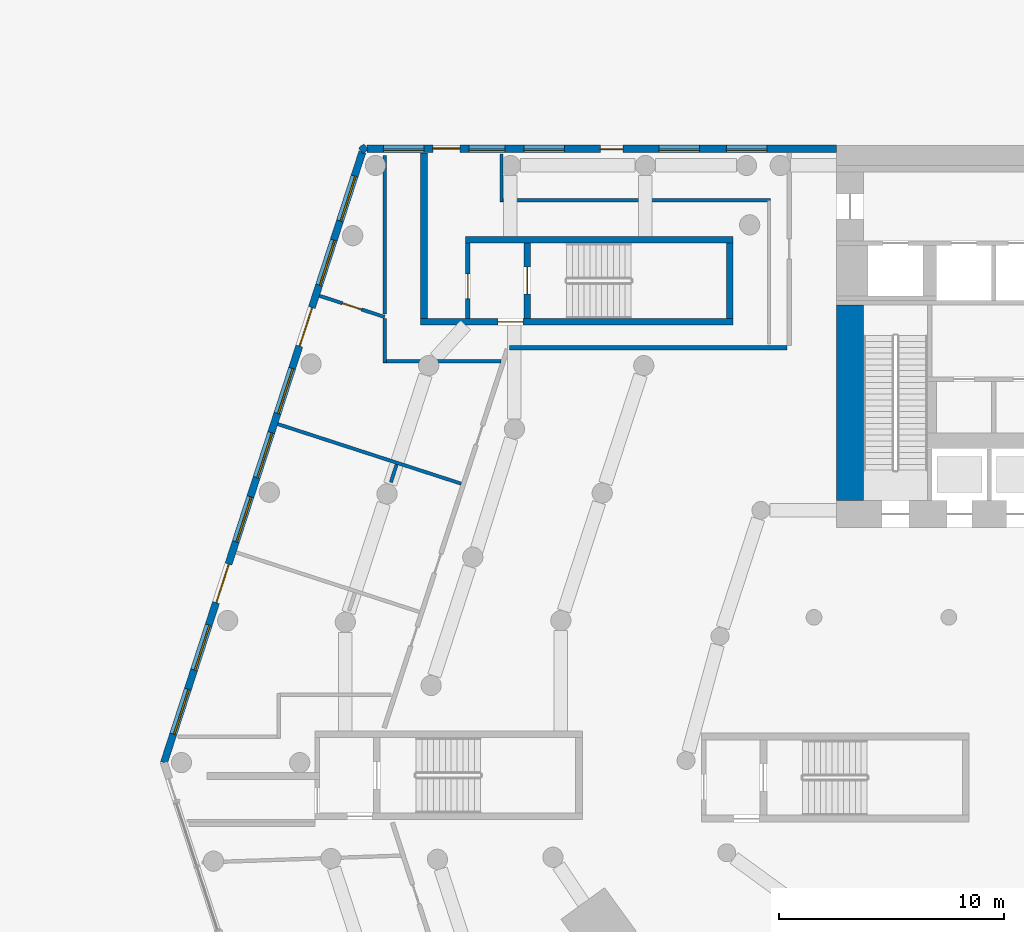
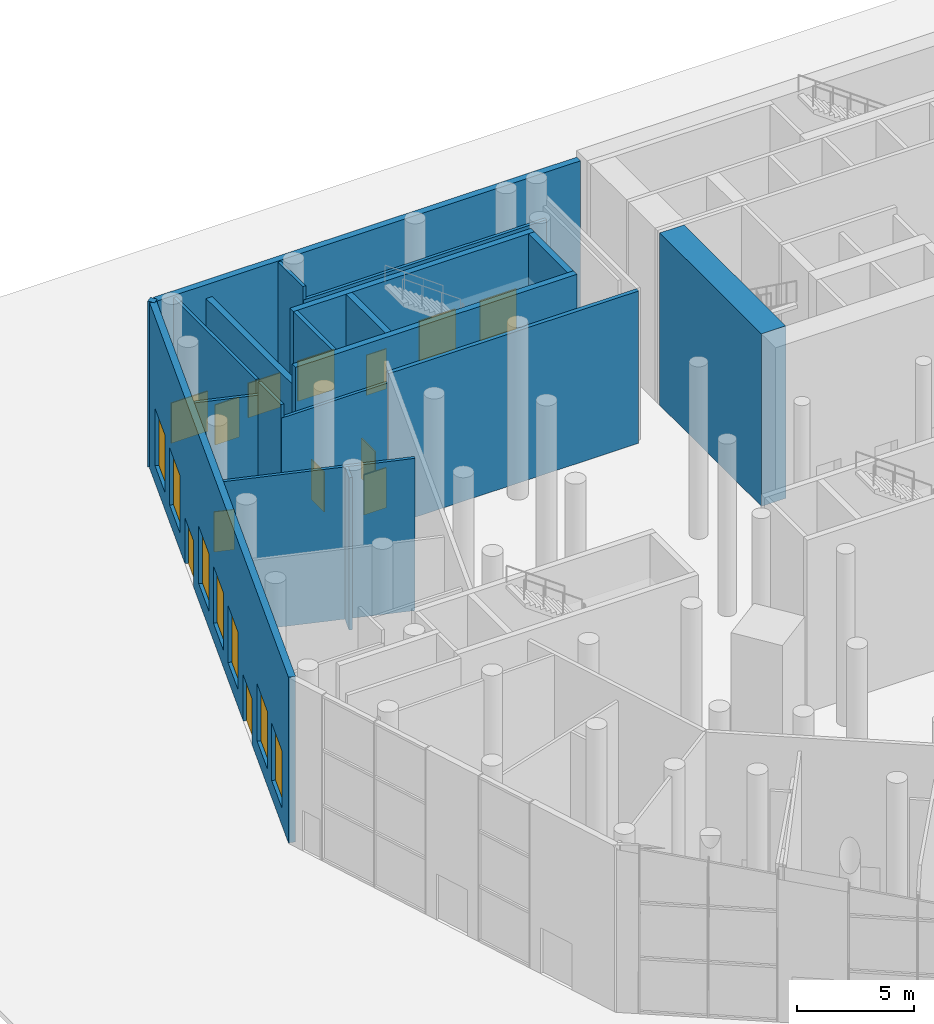
# One storey, part 14 of 25: 19 walls, 12 windows, 8 doors, 20 openings.
"""IFC4 building model written with IfcOpenShell, lengths in metres."""

from ifc_helpers import new_model, si_unit, direction, frame, frame_2d, origin, place, context, subcontext, project, spatial, rectangle, extrude, material, layer, layer_set, type_object, element, fill, save


model = new_model("IFC4")

# Units and contexts
model_context = context("Model", 3, precision=1e-05, world=origin(), true_north=direction((0.0, 1.0)))
body_context = subcontext(model_context, "Body", "Model", "MODEL_VIEW")
ifc_project = project(units=[si_unit("LENGTHUNIT", "METRE"), si_unit("AREAUNIT", "SQUARE_METRE"), si_unit("VOLUMEUNIT", "CUBIC_METRE"), si_unit("PLANEANGLEUNIT", "RADIAN"), si_unit("MASSUNIT", "GRAM", prefix="KILO")], contexts=[model_context])

# Site, building, storey
site_placement = place(None, origin())
site = spatial("IfcSite", under=ifc_project, at=site_placement, CompositionType="ELEMENT")
building_placement = place(site_placement, origin())
building = spatial("IfcBuilding", under=site, at=building_placement, Name="White Candle Pilgrim Tower", CompositionType="ELEMENT")
storey_placement = place(building_placement, origin())
storey = spatial("IfcBuildingStorey", under=building, at=storey_placement, Name="L00", CompositionType="ELEMENT", Elevation=0.0)

# Walls
ifc_material_1 = material(Name="Gypsum board on steel studs", Category="steel")
ifc_layer_1 = layer(ifc_material_1, 0.199951171875)
ifc_layer_set_1 = layer_set([ifc_layer_1], Name="Corridor wall 200 mm EI 45")
wall_type_1 = type_object("IfcWallType", Name="Corridor wall 200 mm EI 45", PredefinedType="PARTITIONING", material=ifc_layer_set_1)
wall_1_placement = place(storey_placement, frame((44.4541015625, 79.0, 0.0), z_axis=(0.0, 0.0, 1.0), x_axis=(1.0, 0.0, 0.0)))
element("IfcWall", 1, at=wall_1_placement, inside=storey, type_object=wall_type_1, Name="WL-L00-P006", PredefinedType="PARTITIONING", context=body_context, shape_type="SweptSolid", body=[
    extrude(rectangle(XDim=12.345947265625, YDim=0.199951171875, at=frame_2d((6.1728515625, 0.0))), origin(), (0.0, 0.0, 1.0), 7.949951171875),
])
ifc_material_2 = material(Name="Precast concrete C40/50", Category="concrete")
ifc_layer_2 = layer(ifc_material_2, 0.320068359375)
ifc_layer_set_2 = layer_set([ifc_layer_2], Name="Facade wall EW3 precast concrete C40/50 and stone-faced podium wall")
wall_type_2 = type_object("IfcWallType", Name="Facade wall EW3 precast concrete C40/50 and stone-faced podium wall", PredefinedType="SOLIDWALL", material=ifc_layer_set_2)
wall_2_placement = place(storey_placement, frame((38.080078125, 87.92822265625, 0.0), z_axis=(0.0, 0.0, 1.0), x_axis=(-0.809087927272, -0.587687609145, 0.0)))
element("IfcWall", 2, at=wall_2_placement, inside=storey, type_object=wall_type_2, Name="Corner pier L00 N", PredefinedType="SOLIDWALL", context=body_context, shape_type="SweptSolid", body=[
    extrude(rectangle(XDim=0.300048828125, YDim=0.320068359375, at=frame_2d((0.14990234375, 0.0))), origin(), (0.0, 0.0, 1.0), 8.64990234375),
])

# Wall, openings, doors, windows
wall_3_placement = place(storey_placement, frame((37.912353515625, 87.697265625, 0.0), z_axis=(0.0, 0.0, 1.0), x_axis=(-0.309016476183, -0.951056684666, 0.0)))
wall_3 = element("IfcWall", 3, at=wall_3_placement, inside=storey, type_object=wall_type_2, Name="Facade wall L00 WNW", PredefinedType="SOLIDWALL", context=body_context, shape_type="SweptSolid", body=[
    extrude(rectangle(XDim=28.555908203125, YDim=0.320068359375, at=frame_2d((14.27783203125, 0.0))), origin(), (0.0, 0.0, 1.0), 8.64990234375),
])
opening_1_placement = place(wall_3_placement, frame((1.120849609375, 0.0, 0.89990234375)))
opening_1 = element("IfcOpeningElement", 4, at=opening_1_placement, cuts=wall_3, Name="Opening W7", PredefinedType="OPENING", context=body_context, shape_type="SweptSolid", body=[
    extrude(rectangle(XDim=2.10009765625, YDim=3.0, at=frame_2d((1.050048828125, 1.5))), frame((0.0, 0.169921875, 0.0), z_axis=(0.0, -1.0, 0.0), x_axis=(1.0, 0.0, 0.0)), (0.0, 0.0, 1.0), 0.340087890625),
])
opening_2_placement = place(wall_3_placement, frame((4.120849609375, 0.0, 0.89990234375)))
opening_2 = element("IfcOpeningElement", 5, at=opening_2_placement, cuts=wall_3, Name="Opening W7", PredefinedType="OPENING", context=body_context, shape_type="SweptSolid", body=[
    extrude(rectangle(XDim=2.10009765625, YDim=3.0, at=frame_2d((1.050048828125, 1.5))), frame((0.0, 0.169921875, 0.0), z_axis=(0.0, -1.0, 0.0), x_axis=(1.0, 0.0, 0.0)), (0.0, 0.0, 1.0), 0.340087890625),
])
opening_3_placement = place(wall_3_placement, frame((7.270751953125, 0.0, 0.0)))
opening_3 = element("IfcOpeningElement", 6, at=opening_3_placement, cuts=wall_3, Name="Opening L00-918", PredefinedType="OPENING", context=body_context, shape_type="SweptSolid", body=[
    extrude(rectangle(XDim=1.800048828125, YDim=2.39990234375, at=frame_2d((0.89990234375, 1.199951171875))), frame((0.0, 0.169921875, 0.0), z_axis=(0.0, -1.0, 0.0), x_axis=(1.0, 0.0, 0.0)), (0.0, 0.0, 1.0), 0.340087890625),
])
opening_4_placement = place(wall_3_placement, frame((10.120849609375, 0.0, 0.89990234375)))
opening_4 = element("IfcOpeningElement", 7, at=opening_4_placement, cuts=wall_3, Name="Opening W7", PredefinedType="OPENING", context=body_context, shape_type="SweptSolid", body=[
    extrude(rectangle(XDim=2.10009765625, YDim=3.0, at=frame_2d((1.050048828125, 1.5))), frame((0.0, 0.169921875, 0.0), z_axis=(0.0, -1.0, 0.0), x_axis=(1.0, 0.0, 0.0)), (0.0, 0.0, 1.0), 0.340087890625),
])
opening_5_placement = place(wall_3_placement, frame((13.120849609375, 0.0, 0.89990234375)))
opening_5 = element("IfcOpeningElement", 8, at=opening_5_placement, cuts=wall_3, Name="Opening W7", PredefinedType="OPENING", context=body_context, shape_type="SweptSolid", body=[
    extrude(rectangle(XDim=2.10009765625, YDim=3.0, at=frame_2d((1.050048828125, 1.5))), frame((0.0, 0.169921875, 0.0), z_axis=(0.0, -1.0, 0.0), x_axis=(1.0, 0.0, 0.0)), (0.0, 0.0, 1.0), 0.340087890625),
])
opening_6_placement = place(wall_3_placement, frame((16.120849609375, 0.0, 0.89990234375)))
opening_6 = element("IfcOpeningElement", 9, at=opening_6_placement, cuts=wall_3, Name="Opening W7", PredefinedType="OPENING", context=body_context, shape_type="SweptSolid", body=[
    extrude(rectangle(XDim=2.10009765625, YDim=3.0, at=frame_2d((1.050048828125, 1.5))), frame((0.0, 0.169921875, 0.0), z_axis=(0.0, -1.0, 0.0), x_axis=(1.0, 0.0, 0.0)), (0.0, 0.0, 1.0), 0.340087890625),
])
opening_7_placement = place(wall_3_placement, frame((19.270751953125, 0.0, 0.0)))
opening_7 = element("IfcOpeningElement", 10, at=opening_7_placement, cuts=wall_3, Name="Opening L00-919", PredefinedType="OPENING", context=body_context, shape_type="SweptSolid", body=[
    extrude(rectangle(XDim=1.800048828125, YDim=2.39990234375, at=frame_2d((0.89990234375, 1.199951171875))), frame((0.0, 0.169921875, 0.0), z_axis=(0.0, -1.0, 0.0), x_axis=(1.0, 0.0, 0.0)), (0.0, 0.0, 1.0), 0.340087890625),
])
opening_8_placement = place(wall_3_placement, frame((22.120849609375, 0.0, 0.89990234375)))
opening_8 = element("IfcOpeningElement", 11, at=opening_8_placement, cuts=wall_3, Name="Opening W7", PredefinedType="OPENING", context=body_context, shape_type="SweptSolid", body=[
    extrude(rectangle(XDim=2.10009765625, YDim=3.0, at=frame_2d((1.050048828125, 1.5))), frame((0.0, 0.169921875, 0.0), z_axis=(0.0, -1.0, 0.0), x_axis=(1.0, 0.0, 0.0)), (0.0, 0.0, 1.0), 0.340087890625),
])
opening_9_placement = place(wall_3_placement, frame((25.120849609375, 0.0, 0.89990234375)))
opening_9 = element("IfcOpeningElement", 12, at=opening_9_placement, cuts=wall_3, Name="Opening W7", PredefinedType="OPENING", context=body_context, shape_type="SweptSolid", body=[
    extrude(rectangle(XDim=2.10009765625, YDim=3.0, at=frame_2d((1.050048828125, 1.5))), frame((0.0, 0.169921875, 0.0), z_axis=(0.0, -1.0, 0.0), x_axis=(1.0, 0.0, 0.0)), (0.0, 0.0, 1.0), 0.340087890625),
])
ifc_material_3 = material(Name="Timber frame with laminated glazing", Category="wood")
door_type_1 = type_object("IfcDoorType", Name="Exit door EN5 1800x2400 double leaf", OperationType="DOUBLE_DOOR_DOUBLE_SWING", PredefinedType="DOOR", material=ifc_material_3)
door_1_placement = place(opening_3_placement, origin())
door_1 = element("IfcDoor", 13, at=door_1_placement, inside=storey, type_object=door_type_1, Name="Door L00 WNW 3", OperationType="DOUBLE_DOOR_DOUBLE_SWING", OverallHeight=2.39990234375, OverallWidth=1.800048828125, PredefinedType="DOOR", context=body_context, shape_type="SweptSolid", body=[
    extrude(rectangle(XDim=1.800048828125, YDim=2.39990234375, at=frame_2d((0.89990234375, 1.199951171875))), frame((0.0, 0.0400390625, 0.0), z_axis=(0.0, -1.0, 0.0), x_axis=(1.0, 0.0, 0.0)), (0.0, 0.0, 1.0), 0.050048828125),
])
fill(opening_3, door_1)
door_2_placement = place(opening_7_placement, origin())
door_2 = element("IfcDoor", 14, at=door_2_placement, inside=storey, type_object=door_type_1, Name="Door L00 WNW 7", OperationType="DOUBLE_DOOR_DOUBLE_SWING", OverallHeight=2.39990234375, OverallWidth=1.800048828125, PredefinedType="DOOR", context=body_context, shape_type="SweptSolid", body=[
    extrude(rectangle(XDim=1.800048828125, YDim=2.39990234375, at=frame_2d((0.89990234375, 1.199951171875))), frame((0.0, 0.0400390625, 0.0), z_axis=(0.0, -1.0, 0.0), x_axis=(1.0, 0.0, 0.0)), (0.0, 0.0, 1.0), 0.050048828125),
])
fill(opening_7, door_2)
ifc_material_4 = material(Name="Timber frame with triple glazing", Category="wood")
window_type_1 = type_object("IfcWindowType", Name="Window W7 2100x3000 timber frame triple glazing", PartitioningType="SINGLE_PANEL", PredefinedType="WINDOW", material=ifc_material_4)
window_1_placement = place(opening_1_placement, origin())
window_1 = element("IfcWindow", 15, at=window_1_placement, inside=storey, type_object=window_type_1, Name="Window W7 L00 WNW 1", OverallHeight=3.0, OverallWidth=2.10009765625, PartitioningType="SINGLE_PANEL", PredefinedType="WINDOW", context=body_context, shape_type="SweptSolid", body=[
    extrude(rectangle(XDim=2.10009765625, YDim=3.0, at=frame_2d((1.050048828125, 1.5))), frame((0.0, 0.070068359375, 0.0), z_axis=(0.0, -1.0, 0.0), x_axis=(1.0, 0.0, 0.0)), (0.0, 0.0, 1.0), 0.06005859375),
])
fill(opening_1, window_1)
window_2_placement = place(opening_2_placement, origin())
window_2 = element("IfcWindow", 16, at=window_2_placement, inside=storey, type_object=window_type_1, Name="Window W7 L00 WNW 2", OverallHeight=3.0, OverallWidth=2.10009765625, PartitioningType="SINGLE_PANEL", PredefinedType="WINDOW", context=body_context, shape_type="SweptSolid", body=[
    extrude(rectangle(XDim=2.10009765625, YDim=3.0, at=frame_2d((1.050048828125, 1.5))), frame((0.0, 0.070068359375, 0.0), z_axis=(0.0, -1.0, 0.0), x_axis=(1.0, 0.0, 0.0)), (0.0, 0.0, 1.0), 0.06005859375),
])
fill(opening_2, window_2)
window_3_placement = place(opening_4_placement, origin())
window_3 = element("IfcWindow", 17, at=window_3_placement, inside=storey, type_object=window_type_1, Name="Window W7 L00 WNW 4", OverallHeight=3.0, OverallWidth=2.10009765625, PartitioningType="SINGLE_PANEL", PredefinedType="WINDOW", context=body_context, shape_type="SweptSolid", body=[
    extrude(rectangle(XDim=2.10009765625, YDim=3.0, at=frame_2d((1.050048828125, 1.5))), frame((0.0, 0.070068359375, 0.0), z_axis=(0.0, -1.0, 0.0), x_axis=(1.0, 0.0, 0.0)), (0.0, 0.0, 1.0), 0.06005859375),
])
fill(opening_4, window_3)
window_4_placement = place(opening_5_placement, origin())
window_4 = element("IfcWindow", 18, at=window_4_placement, inside=storey, type_object=window_type_1, Name="Window W7 L00 WNW 5", OverallHeight=3.0, OverallWidth=2.10009765625, PartitioningType="SINGLE_PANEL", PredefinedType="WINDOW", context=body_context, shape_type="SweptSolid", body=[
    extrude(rectangle(XDim=2.10009765625, YDim=3.0, at=frame_2d((1.050048828125, 1.5))), frame((0.0, 0.070068359375, 0.0), z_axis=(0.0, -1.0, 0.0), x_axis=(1.0, 0.0, 0.0)), (0.0, 0.0, 1.0), 0.06005859375),
])
fill(opening_5, window_4)
window_5_placement = place(opening_6_placement, origin())
window_5 = element("IfcWindow", 19, at=window_5_placement, inside=storey, type_object=window_type_1, Name="Window W7 L00 WNW 6", OverallHeight=3.0, OverallWidth=2.10009765625, PartitioningType="SINGLE_PANEL", PredefinedType="WINDOW", context=body_context, shape_type="SweptSolid", body=[
    extrude(rectangle(XDim=2.10009765625, YDim=3.0, at=frame_2d((1.050048828125, 1.5))), frame((0.0, 0.070068359375, 0.0), z_axis=(0.0, -1.0, 0.0), x_axis=(1.0, 0.0, 0.0)), (0.0, 0.0, 1.0), 0.06005859375),
])
fill(opening_6, window_5)
window_6_placement = place(opening_8_placement, origin())
window_6 = element("IfcWindow", 20, at=window_6_placement, inside=storey, type_object=window_type_1, Name="Window W7 L00 WNW 8", OverallHeight=3.0, OverallWidth=2.10009765625, PartitioningType="SINGLE_PANEL", PredefinedType="WINDOW", context=body_context, shape_type="SweptSolid", body=[
    extrude(rectangle(XDim=2.10009765625, YDim=3.0, at=frame_2d((1.050048828125, 1.5))), frame((0.0, 0.070068359375, 0.0), z_axis=(0.0, -1.0, 0.0), x_axis=(1.0, 0.0, 0.0)), (0.0, 0.0, 1.0), 0.06005859375),
])
fill(opening_8, window_6)
window_7_placement = place(opening_9_placement, origin())
window_7 = element("IfcWindow", 21, at=window_7_placement, inside=storey, type_object=window_type_1, Name="Window W7 L00 WNW 9", OverallHeight=3.0, OverallWidth=2.10009765625, PartitioningType="SINGLE_PANEL", PredefinedType="WINDOW", context=body_context, shape_type="SweptSolid", body=[
    extrude(rectangle(XDim=2.10009765625, YDim=3.0, at=frame_2d((1.050048828125, 1.5))), frame((0.0, 0.070068359375, 0.0), z_axis=(0.0, -1.0, 0.0), x_axis=(1.0, 0.0, 0.0)), (0.0, 0.0, 1.0), 0.06005859375),
])
fill(opening_9, window_7)

ifc_layer_3 = layer(ifc_material_2, 0.320068359375)
ifc_layer_set_3 = layer_set([ifc_layer_3], Name="Facade wall EW8 precast concrete C40/50 fire command room wall")
wall_type_3 = type_object("IfcWallType", Name="Facade wall EW8 precast concrete C40/50 fire command room wall", PredefinedType="SOLIDWALL", material=ifc_layer_set_3)
wall_4_placement = place(storey_placement, frame((59.0, 87.840087890625, 0.0), z_axis=(0.0, 0.0, 1.0), x_axis=(-1.0, 0.0, 0.0)))
wall_4 = element("IfcWall", 22, at=wall_4_placement, inside=storey, type_object=wall_type_3, Name="Facade wall L00 N", PredefinedType="SOLIDWALL", context=body_context, shape_type="SweptSolid", body=[
    extrude(rectangle(XDim=20.891357421875, YDim=0.320068359375, at=frame_2d((10.44580078125, 0.0))), origin(), (0.0, 0.0, 1.0), 8.64990234375),
])
opening_10_placement = place(wall_4_placement, frame((3.10009765625, 0.0, 0.89990234375)))
opening_10 = element("IfcOpeningElement", 23, at=opening_10_placement, cuts=wall_4, Name="Opening W8", PredefinedType="OPENING", context=body_context, shape_type="SweptSolid", body=[
    extrude(rectangle(XDim=1.800048828125, YDim=2.10009765625, at=frame_2d((0.89990234375, 1.050048828125))), frame((0.0, 0.169921875, 0.0), z_axis=(0.0, -1.0, 0.0), x_axis=(1.0, 0.0, 0.0)), (0.0, 0.0, 1.0), 0.340087890625),
])
opening_11_placement = place(wall_4_placement, frame((6.10009765625, 0.0, 0.89990234375)))
opening_11 = element("IfcOpeningElement", 24, at=opening_11_placement, cuts=wall_4, Name="Opening W8", PredefinedType="OPENING", context=body_context, shape_type="SweptSolid", body=[
    extrude(rectangle(XDim=1.800048828125, YDim=2.10009765625, at=frame_2d((0.89990234375, 1.050048828125))), frame((0.0, 0.169921875, 0.0), z_axis=(0.0, -1.0, 0.0), x_axis=(1.0, 0.0, 0.0)), (0.0, 0.0, 1.0), 0.340087890625),
])
opening_12_placement = place(wall_4_placement, frame((9.5, 0.0, 0.0)))
opening_12 = element("IfcOpeningElement", 25, at=opening_12_placement, cuts=wall_4, Name="Opening L00-917", PredefinedType="OPENING", context=body_context, shape_type="SweptSolid", body=[
    extrude(rectangle(XDim=1.0, YDim=2.10009765625, at=frame_2d((0.5, 1.050048828125))), frame((0.0, 0.169921875, 0.0), z_axis=(0.0, -1.0, 0.0), x_axis=(1.0, 0.0, 0.0)), (0.0, 0.0, 1.0), 0.340087890625),
])
opening_13_placement = place(wall_4_placement, frame((12.10009765625, 0.0, 0.89990234375)))
opening_13 = element("IfcOpeningElement", 26, at=opening_13_placement, cuts=wall_4, Name="Opening W8", PredefinedType="OPENING", context=body_context, shape_type="SweptSolid", body=[
    extrude(rectangle(XDim=1.800048828125, YDim=2.10009765625, at=frame_2d((0.89990234375, 1.050048828125))), frame((0.0, 0.169921875, 0.0), z_axis=(0.0, -1.0, 0.0), x_axis=(1.0, 0.0, 0.0)), (0.0, 0.0, 1.0), 0.340087890625),
])
opening_14_placement = place(wall_4_placement, frame((14.75, 0.0, 0.89990234375)))
opening_14 = element("IfcOpeningElement", 27, at=opening_14_placement, cuts=wall_4, Name="Opening W2", PredefinedType="OPENING", context=body_context, shape_type="SweptSolid", body=[
    extrude(rectangle(XDim=1.60009765625, YDim=1.800048828125, at=frame_2d((0.800048828125, 0.89990234375))), frame((0.0, 0.169921875, 0.0), z_axis=(0.0, -1.0, 0.0), x_axis=(1.0, 0.0, 0.0)), (0.0, 0.0, 1.0), 0.340087890625),
])
opening_15_placement = place(wall_4_placement, frame((18.35009765625, 0.0, 0.89990234375)))
opening_15 = element("IfcOpeningElement", 28, at=opening_15_placement, cuts=wall_4, Name="Opening W8", PredefinedType="OPENING", context=body_context, shape_type="SweptSolid", body=[
    extrude(rectangle(XDim=1.800048828125, YDim=2.10009765625, at=frame_2d((0.89990234375, 1.050048828125))), frame((0.0, 0.169921875, 0.0), z_axis=(0.0, -1.0, 0.0), x_axis=(1.0, 0.0, 0.0)), (0.0, 0.0, 1.0), 0.340087890625),
])
opening_16_placement = place(wall_4_placement, frame((16.75, 0.0, 0.0)))
opening_16 = element("IfcOpeningElement", 29, at=opening_16_placement, cuts=wall_4, Name="Opening L00-926", PredefinedType="OPENING", context=body_context, shape_type="SweptSolid", body=[
    extrude(rectangle(XDim=1.199951171875, YDim=2.10009765625, at=frame_2d((0.60009765625, 1.050048828125))), frame((0.0, 0.169921875, 0.0), z_axis=(0.0, -1.0, 0.0), x_axis=(1.0, 0.0, 0.0)), (0.0, 0.0, 1.0), 0.340087890625),
])
door_type_2 = type_object("IfcDoorType", Name="Exit door EN7 1200x2100 single leaf", OperationType="SINGLE_SWING_RIGHT", PredefinedType="DOOR", material=ifc_material_3)
door_3_placement = place(opening_16_placement, frame((1.199951171875, 0.0, 0.0), z_axis=(0.0, 0.0, 1.0), x_axis=(-1.0, 0.0, 0.0)))
door_3 = element("IfcDoor", 30, at=door_3_placement, inside=storey, type_object=door_type_2, Name="Door L00 exit ST10", OperationType="SINGLE_SWING_RIGHT", OverallHeight=2.10009765625, OverallWidth=1.199951171875, PredefinedType="DOOR", context=body_context, shape_type="SweptSolid", body=[
    extrude(rectangle(XDim=1.199951171875, YDim=2.10009765625, at=frame_2d((0.60009765625, 1.050048828125))), frame((0.0, 0.0400390625, 0.0), z_axis=(0.0, -1.0, 0.0), x_axis=(1.0, 0.0, 0.0)), (0.0, 0.0, 1.0), 0.050048828125),
])
fill(opening_16, door_3)
door_type_3 = type_object("IfcDoorType", Name="Fire post door EN6 1000x2100 single leaf", OperationType="SINGLE_SWING_RIGHT", PredefinedType="DOOR", material=ifc_material_3)
door_4_placement = place(opening_12_placement, origin())
door_4 = element("IfcDoor", 31, at=door_4_placement, inside=storey, type_object=door_type_3, Name="Door L00 N 18", OperationType="SINGLE_SWING_RIGHT", OverallHeight=2.10009765625, OverallWidth=1.0, PredefinedType="DOOR", context=body_context, shape_type="SweptSolid", body=[
    extrude(rectangle(XDim=1.0, YDim=2.10009765625, at=frame_2d((0.5, 1.050048828125))), frame((0.0, 0.0400390625, 0.0), z_axis=(0.0, -1.0, 0.0), x_axis=(1.0, 0.0, 0.0)), (0.0, 0.0, 1.0), 0.050048828125),
])
fill(opening_12, door_4)
window_type_2 = type_object("IfcWindowType", Name="Window W2 1600x1800 timber frame triple glazing", PartitioningType="SINGLE_PANEL", PredefinedType="WINDOW", material=ifc_material_4)
window_8_placement = place(opening_14_placement, origin())
window_8 = element("IfcWindow", 32, at=window_8_placement, inside=storey, type_object=window_type_2, Name="Window W2 L00 N 20", OverallHeight=1.800048828125, OverallWidth=1.60009765625, PartitioningType="SINGLE_PANEL", PredefinedType="WINDOW", context=body_context, shape_type="SweptSolid", body=[
    extrude(rectangle(XDim=1.60009765625, YDim=1.800048828125, at=frame_2d((0.800048828125, 0.89990234375))), frame((0.0, 0.070068359375, 0.0), z_axis=(0.0, -1.0, 0.0), x_axis=(1.0, 0.0, 0.0)), (0.0, 0.0, 1.0), 0.06005859375),
])
fill(opening_14, window_8)
window_type_3 = type_object("IfcWindowType", Name="Window W8 1800x2100 timber frame triple glazing", PartitioningType="SINGLE_PANEL", PredefinedType="WINDOW", material=ifc_material_4)
window_9_placement = place(opening_10_placement, origin())
window_9 = element("IfcWindow", 33, at=window_9_placement, inside=storey, type_object=window_type_3, Name="Window W8 L00 N 16", OverallHeight=2.10009765625, OverallWidth=1.800048828125, PartitioningType="SINGLE_PANEL", PredefinedType="WINDOW", context=body_context, shape_type="SweptSolid", body=[
    extrude(rectangle(XDim=1.800048828125, YDim=2.10009765625, at=frame_2d((0.89990234375, 1.050048828125))), frame((0.0, 0.070068359375, 0.0), z_axis=(0.0, -1.0, 0.0), x_axis=(1.0, 0.0, 0.0)), (0.0, 0.0, 1.0), 0.06005859375),
])
fill(opening_10, window_9)
window_10_placement = place(opening_11_placement, origin())
window_10 = element("IfcWindow", 34, at=window_10_placement, inside=storey, type_object=window_type_3, Name="Window W8 L00 N 17", OverallHeight=2.10009765625, OverallWidth=1.800048828125, PartitioningType="SINGLE_PANEL", PredefinedType="WINDOW", context=body_context, shape_type="SweptSolid", body=[
    extrude(rectangle(XDim=1.800048828125, YDim=2.10009765625, at=frame_2d((0.89990234375, 1.050048828125))), frame((0.0, 0.070068359375, 0.0), z_axis=(0.0, -1.0, 0.0), x_axis=(1.0, 0.0, 0.0)), (0.0, 0.0, 1.0), 0.06005859375),
])
fill(opening_11, window_10)
window_11_placement = place(opening_13_placement, origin())
window_11 = element("IfcWindow", 35, at=window_11_placement, inside=storey, type_object=window_type_3, Name="Window W8 L00 N 19", OverallHeight=2.10009765625, OverallWidth=1.800048828125, PartitioningType="SINGLE_PANEL", PredefinedType="WINDOW", context=body_context, shape_type="SweptSolid", body=[
    extrude(rectangle(XDim=1.800048828125, YDim=2.10009765625, at=frame_2d((0.89990234375, 1.050048828125))), frame((0.0, 0.070068359375, 0.0), z_axis=(0.0, -1.0, 0.0), x_axis=(1.0, 0.0, 0.0)), (0.0, 0.0, 1.0), 0.06005859375),
])
fill(opening_13, window_11)
window_12_placement = place(opening_15_placement, origin())
window_12 = element("IfcWindow", 36, at=window_12_placement, inside=storey, type_object=window_type_3, Name="Window W8 L00 N 21", OverallHeight=2.10009765625, OverallWidth=1.800048828125, PartitioningType="SINGLE_PANEL", PredefinedType="WINDOW", context=body_context, shape_type="SweptSolid", body=[
    extrude(rectangle(XDim=1.800048828125, YDim=2.10009765625, at=frame_2d((0.89990234375, 1.050048828125))), frame((0.0, 0.070068359375, 0.0), z_axis=(0.0, -1.0, 0.0), x_axis=(1.0, 0.0, 0.0)), (0.0, 0.0, 1.0), 0.06005859375),
])
fill(opening_15, window_12)

# Wall
ifc_layer_4 = layer(ifc_material_1, 0.300048828125)
ifc_layer_set_4 = layer_set([ifc_layer_4], Name="Lobby wall 300 mm REI 240")
wall_type_4 = type_object("IfcWallType", Name="Lobby wall 300 mm REI 240", PredefinedType="PARTITIONING", material=ifc_layer_set_4)
wall_5_placement = place(storey_placement, frame((40.64990234375, 80.300048828125, 0.0), z_axis=(0.0, 0.0, 1.0), x_axis=(0.0, 1.0, 0.0)))
element("IfcWall", 37, at=wall_5_placement, inside=storey, type_object=wall_type_4, Name="WL-L00-C61", PredefinedType="PARTITIONING", context=body_context, shape_type="SweptSolid", body=[
    extrude(rectangle(XDim=7.35986328125, YDim=0.300048828125, at=frame_2d((3.679931640625, 0.0))), origin(), (0.0, 0.0, 1.0), 7.949951171875),
])

# Wall, opening, door
ifc_layer_5 = layer(ifc_material_1, 0.14990234375)
ifc_layer_set_5 = layer_set([ifc_layer_5], Name="Partition 150 mm EI 60")
wall_type_5 = type_object("IfcWallType", Name="Partition 150 mm EI 60", PredefinedType="PARTITIONING", material=ifc_layer_set_5)
wall_6_placement = place(storey_placement, frame((36.003173828125, 81.3037109375, 0.0), z_axis=(0.0, 0.0, 1.0), x_axis=(0.951037013891, -0.309077010161, 0.0)))
wall_6 = element("IfcWall", 38, at=wall_6_placement, inside=storey, type_object=wall_type_5, Name="WL-L00-P016", PredefinedType="PARTITIONING", context=body_context, shape_type="SweptSolid", body=[
    extrude(rectangle(XDim=3.0458984375, YDim=0.14990234375, at=frame_2d((1.52294921875, 0.0))), origin(), (0.0, 0.0, 1.0), 7.949951171875),
])
opening_17_placement = place(wall_6_placement, frame((1.072998046875, 0.0, 0.0)))
opening_17 = element("IfcOpeningElement", 39, at=opening_17_placement, cuts=wall_6, Name="Opening L00-123", PredefinedType="OPENING", context=body_context, shape_type="SweptSolid", body=[
    extrude(rectangle(XDim=0.89990234375, YDim=2.10009765625, at=frame_2d((0.449951171875, 1.050048828125))), frame((0.0, 0.0849609375, 0.0), z_axis=(0.0, -1.0, 0.0), x_axis=(1.0, 0.0, 0.0)), (0.0, 0.0, 1.0), 0.169921875),
])
ifc_material_5 = material(Name="Steel door leaf", Category="steel")
door_type_4 = type_object("IfcDoorType", Name="Fire door 900 x 2100 EI 30", OperationType="NOTDEFINED", PredefinedType="DOOR", material=ifc_material_5)
door_5_placement = place(opening_17_placement, origin())
door_5 = element("IfcDoor", 40, at=door_5_placement, inside=storey, type_object=door_type_4, Name="Door L00-123", OperationType="SINGLE_SWING_LEFT", OverallHeight=2.10009765625, OverallWidth=0.89990234375, PredefinedType="DOOR", context=body_context, shape_type="SweptSolid", body=[
    extrude(rectangle(XDim=0.89990234375, YDim=2.10009765625, at=frame_2d((0.449951171875, 1.050048828125))), frame((0.0, 0.02490234375, 0.0), z_axis=(0.0, -1.0, 0.0), x_axis=(1.0, 0.0, 0.0)), (0.0, 0.0, 1.0), 0.050048828125),
])
fill(opening_17, door_5)

# Walls
wall_7_placement = place(storey_placement, frame((34.149169921875, 75.597412109375, 0.0), z_axis=(0.0, 0.0, 1.0), x_axis=(0.951046405378, -0.309048110846, 0.0)))
element("IfcWall", 41, at=wall_7_placement, inside=storey, type_object=wall_type_5, Name="WL-L00-P017", PredefinedType="PARTITIONING", context=body_context, shape_type="SweptSolid", body=[
    extrude(rectangle(XDim=8.579833984375, YDim=0.14990234375, at=frame_2d((4.2900390625, 0.0))), origin(), (0.0, 0.0, 1.0), 7.949951171875),
])
wall_8_placement = place(storey_placement, frame((39.17919921875, 73.005126953125, 0.0), z_axis=(0.0, 0.0, 1.0), x_axis=(0.309033234433, 0.951051239427, 0.0)))
element("IfcWall", 42, at=wall_8_placement, inside=storey, type_object=wall_type_5, Name="WL-L00-P046", PredefinedType="PARTITIONING", context=body_context, shape_type="SweptSolid", body=[
    extrude(rectangle(XDim=0.8359375, YDim=0.14990234375, at=frame_2d((0.41796875, 0.0))), origin(), (0.0, 0.0, 1.0), 7.949951171875),
])
wall_9_placement = place(storey_placement, frame((38.89990234375, 80.2958984375, 0.0), z_axis=(0.0, 0.0, 1.0), x_axis=(0.0, -1.0, 0.0)))
element("IfcWall", 43, at=wall_9_placement, inside=storey, type_object=wall_type_5, Name="WL-L00-P057", PredefinedType="PARTITIONING", context=body_context, shape_type="SweptSolid", body=[
    extrude(rectangle(XDim=1.955810546875, YDim=0.14990234375, at=frame_2d((0.97802734375, 0.0))), origin(), (0.0, 0.0, 1.0), 8.64990234375),
])
wall_10_placement = place(storey_placement, frame((38.840087890625, 78.39990234375, 0.0), z_axis=(0.0, 0.0, 1.0), x_axis=(1.0, 0.0, 0.0)))
element("IfcWall", 44, at=wall_10_placement, inside=storey, type_object=wall_type_5, Name="WL-L00-P058", PredefinedType="PARTITIONING", context=body_context, shape_type="SweptSolid", body=[
    extrude(rectangle(XDim=5.238037109375, YDim=0.14990234375, at=frame_2d((2.619140625, 0.0))), origin(), (0.0, 0.0, 1.0), 7.949951171875),
])
wall_11_placement = place(storey_placement, frame((38.89990234375, 87.550048828125, 0.0), z_axis=(0.0, 0.0, 1.0), x_axis=(0.0, -1.0, 0.0)))
element("IfcWall", 45, at=wall_11_placement, inside=storey, type_object=wall_type_5, Name="WL-L00-P059", PredefinedType="PARTITIONING", context=body_context, shape_type="SweptSolid", body=[
    extrude(rectangle(XDim=7.045654296875, YDim=0.14990234375, at=frame_2d((3.52294921875, 0.0))), origin(), (0.0, 0.0, 1.0), 8.64990234375),
])
wall_12_placement = place(storey_placement, frame((56.06005859375, 85.550048828125, 0.0), z_axis=(0.0, 0.0, 1.0), x_axis=(-1.0, 0.0, 0.0)))
element("IfcWall", 46, at=wall_12_placement, inside=storey, type_object=wall_type_5, Name="WL-L00-P060", PredefinedType="PARTITIONING", context=body_context, shape_type="SweptSolid", body=[
    extrude(rectangle(XDim=12.02001953125, YDim=0.14990234375, at=frame_2d((6.010009765625, 0.0))), origin(), (0.0, 0.0, 1.0), 7.949951171875),
])
wall_13_placement = place(storey_placement, frame((44.10009765625, 85.489990234375, 0.0), z_axis=(0.0, 0.0, 1.0), x_axis=(0.0, 1.0, 0.0)))
element("IfcWall", 47, at=wall_13_placement, inside=storey, type_object=wall_type_5, Name="WL-L00-P061", PredefinedType="PARTITIONING", context=body_context, shape_type="SweptSolid", body=[
    extrude(rectangle(XDim=2.1201171875, YDim=0.14990234375, at=frame_2d((1.06005859375, 0.0))), origin(), (0.0, 0.0, 1.0), 8.64990234375),
])
ifc_material_6 = material(Name="Concrete C70/85", Category="concrete")
ifc_layer_6 = layer(ifc_material_6, 1.199951171875)
ifc_layer_set_6 = layer_set([ifc_layer_6], Name="Stair shaft wall 1200 mm Concrete C70/85")
wall_type_6 = type_object("IfcWallType", Name="Stair shaft wall 1200 mm Concrete C70/85", PredefinedType="SHEAR", material=ifc_layer_set_6)
wall_14_placement = place(storey_placement, frame((59.60009765625, 72.199951171875, 0.0), z_axis=(0.0, 0.0, 1.0), x_axis=(0.0, 1.0, 0.0)))
element("IfcWall", 48, at=wall_14_placement, inside=storey, type_object=wall_type_6, Name="WL-L00-C40", PredefinedType="SHEAR", context=body_context, shape_type="SweptSolid", body=[
    extrude(rectangle(XDim=8.699951171875, YDim=1.199951171875, at=frame_2d((4.35009765625, 0.0))), origin(), (0.0, 0.0, 1.0), 9.0),
])

# Wall, opening, door
ifc_layer_7 = layer(ifc_material_6, 0.199951171875)
ifc_layer_set_7 = layer_set([ifc_layer_7], Name="Stair shaft wall 200 mm Concrete C70/85")
wall_type_7 = type_object("IfcWallType", Name="Stair shaft wall 200 mm Concrete C70/85", PredefinedType="SHEAR", material=ifc_layer_set_7)
wall_15_placement = place(storey_placement, frame((42.60009765625, 80.300048828125, 0.0), z_axis=(0.0, 0.0, 1.0), x_axis=(0.0, 1.0, 0.0)))
wall_15 = element("IfcWall", 49, at=wall_15_placement, inside=storey, type_object=wall_type_7, Name="WL-L00-C62", PredefinedType="SHEAR", context=body_context, shape_type="SweptSolid", body=[
    extrude(rectangle(XDim=3.349853515625, YDim=0.199951171875, at=frame_2d((1.6748046875, 0.0))), origin(), (0.0, 0.0, 1.0), 9.0),
])
opening_18_placement = place(wall_15_placement, frame((0.875, 0.0, 0.0)))
opening_18 = element("IfcOpeningElement", 50, at=opening_18_placement, cuts=wall_15, Name="Opening L00-027", PredefinedType="OPENING", context=body_context, shape_type="SweptSolid", body=[
    extrude(rectangle(XDim=1.10009765625, YDim=2.10009765625, at=frame_2d((0.550048828125, 1.050048828125))), frame((0.0, 0.10986328125, 0.0), z_axis=(0.0, -1.0, 0.0), x_axis=(1.0, 0.0, 0.0)), (0.0, 0.0, 1.0), 0.219970703125),
])
door_type_5 = type_object("IfcDoorType", Name="Fire door 1100 x 2100 EI 60", OperationType="NOTDEFINED", PredefinedType="DOOR", material=ifc_material_5)
door_6_placement = place(opening_18_placement, origin())
door_6 = element("IfcDoor", 51, at=door_6_placement, inside=storey, type_object=door_type_5, Name="Door L00-027", OperationType="SINGLE_SWING_LEFT", OverallHeight=2.10009765625, OverallWidth=1.10009765625, PredefinedType="DOOR", context=body_context, shape_type="SweptSolid", body=[
    extrude(rectangle(XDim=1.10009765625, YDim=2.10009765625, at=frame_2d((0.550048828125, 1.050048828125))), frame((0.0, 0.02490234375, 0.0), z_axis=(0.0, -1.0, 0.0), x_axis=(1.0, 0.0, 0.0)), (0.0, 0.0, 1.0), 0.050048828125),
])
fill(opening_18, door_6)

ifc_layer_8 = layer(ifc_material_6, 0.300048828125)
ifc_layer_set_8 = layer_set([ifc_layer_8], Name="Stair shaft wall 300 mm Concrete C70/85")
wall_type_8 = type_object("IfcWallType", Name="Stair shaft wall 300 mm Concrete C70/85", PredefinedType="SHEAR", material=ifc_layer_set_8)
wall_16_placement = place(storey_placement, frame((40.5, 80.14990234375, 0.0), z_axis=(0.0, 0.0, 1.0), x_axis=(1.0, 0.0, 0.0)))
wall_16 = element("IfcWall", 52, at=wall_16_placement, inside=storey, type_object=wall_type_8, Name="WL-L00-C59", PredefinedType="SHEAR", context=body_context, shape_type="SweptSolid", body=[
    extrude(rectangle(XDim=13.89990234375, YDim=0.300048828125, at=frame_2d((6.949951171875, 0.0))), origin(), (0.0, 0.0, 1.0), 9.0),
])
opening_19_placement = place(wall_16_placement, frame((3.449951171875, 0.0, 0.0)))
opening_19 = element("IfcOpeningElement", 53, at=opening_19_placement, cuts=wall_16, Name="Opening L00-025", PredefinedType="OPENING", context=body_context, shape_type="SweptSolid", body=[
    extrude(rectangle(XDim=1.10009765625, YDim=2.10009765625, at=frame_2d((0.550048828125, 1.050048828125))), frame((0.0, 0.159912109375, 0.0), z_axis=(0.0, -1.0, 0.0), x_axis=(1.0, 0.0, 0.0)), (0.0, 0.0, 1.0), 0.320068359375),
])
door_7_placement = place(opening_19_placement, origin())
door_7 = element("IfcDoor", 54, at=door_7_placement, inside=storey, type_object=door_type_5, Name="Door L00-025", OperationType="SINGLE_SWING_LEFT", OverallHeight=2.10009765625, OverallWidth=1.10009765625, PredefinedType="DOOR", context=body_context, shape_type="SweptSolid", body=[
    extrude(rectangle(XDim=1.10009765625, YDim=2.10009765625, at=frame_2d((0.550048828125, 1.050048828125))), frame((0.0, 0.02490234375, 0.0), z_axis=(0.0, -1.0, 0.0), x_axis=(1.0, 0.0, 0.0)), (0.0, 0.0, 1.0), 0.050048828125),
])
fill(opening_19, door_7)

wall_17_placement = place(storey_placement, frame((45.25, 80.300048828125, 0.0), z_axis=(0.0, 0.0, 1.0), x_axis=(0.0, 1.0, 0.0)))
wall_17 = element("IfcWall", 55, at=wall_17_placement, inside=storey, type_object=wall_type_8, Name="WL-L00-C63", PredefinedType="SHEAR", context=body_context, shape_type="SweptSolid", body=[
    extrude(rectangle(XDim=3.349853515625, YDim=0.300048828125, at=frame_2d((1.6748046875, 0.0))), origin(), (0.0, 0.0, 1.0), 9.0),
])
opening_20_placement = place(wall_17_placement, frame((1.074951171875, 0.0, 0.0)))
opening_20 = element("IfcOpeningElement", 56, at=opening_20_placement, cuts=wall_17, Name="Opening L00-026", PredefinedType="OPENING", context=body_context, shape_type="SweptSolid", body=[
    extrude(rectangle(XDim=1.199951171875, YDim=2.10009765625, at=frame_2d((0.60009765625, 1.050048828125))), frame((0.0, 0.159912109375, 0.0), z_axis=(0.0, -1.0, 0.0), x_axis=(1.0, 0.0, 0.0)), (0.0, 0.0, 1.0), 0.320068359375),
])
door_type_6 = type_object("IfcDoorType", Name="Fire door 1200 x 2100 EI 60", OperationType="NOTDEFINED", PredefinedType="DOOR", material=ifc_material_5)
door_8_placement = place(opening_20_placement, frame((1.199951171875, 0.0, 0.0), z_axis=(0.0, 0.0, 1.0), x_axis=(-1.0, 0.0, 0.0)))
door_8 = element("IfcDoor", 57, at=door_8_placement, inside=storey, type_object=door_type_6, Name="Door L00-026", OperationType="SINGLE_SWING_LEFT", OverallHeight=2.10009765625, OverallWidth=1.199951171875, PredefinedType="DOOR", context=body_context, shape_type="SweptSolid", body=[
    extrude(rectangle(XDim=1.199951171875, YDim=2.10009765625, at=frame_2d((0.60009765625, 1.050048828125))), frame((0.0, 0.02490234375, 0.0), z_axis=(0.0, -1.0, 0.0), x_axis=(1.0, 0.0, 0.0)), (0.0, 0.0, 1.0), 0.050048828125),
])
fill(opening_20, door_8)

# Walls
wall_18_placement = place(storey_placement, frame((54.25, 80.300048828125, 0.0), z_axis=(0.0, 0.0, 1.0), x_axis=(0.0, 1.0, 0.0)))
element("IfcWall", 58, at=wall_18_placement, inside=storey, type_object=wall_type_8, Name="WL-L00-C64", PredefinedType="SHEAR", context=body_context, shape_type="SweptSolid", body=[
    extrude(rectangle(XDim=3.349853515625, YDim=0.300048828125, at=frame_2d((1.6748046875, 0.0))), origin(), (0.0, 0.0, 1.0), 9.0),
])
wall_19_placement = place(storey_placement, frame((42.5, 83.800048828125, 0.0), z_axis=(0.0, 0.0, 1.0), x_axis=(1.0, 0.0, 0.0)))
element("IfcWall", 59, at=wall_19_placement, inside=storey, type_object=wall_type_8, Name="WL-L00-C86", PredefinedType="SHEAR", context=body_context, shape_type="SweptSolid", body=[
    extrude(rectangle(XDim=11.89990234375, YDim=0.300048828125, at=frame_2d((5.949951171875, 0.0))), origin(), (0.0, 0.0, 1.0), 9.0),
])

save(model, "model.ifc")
